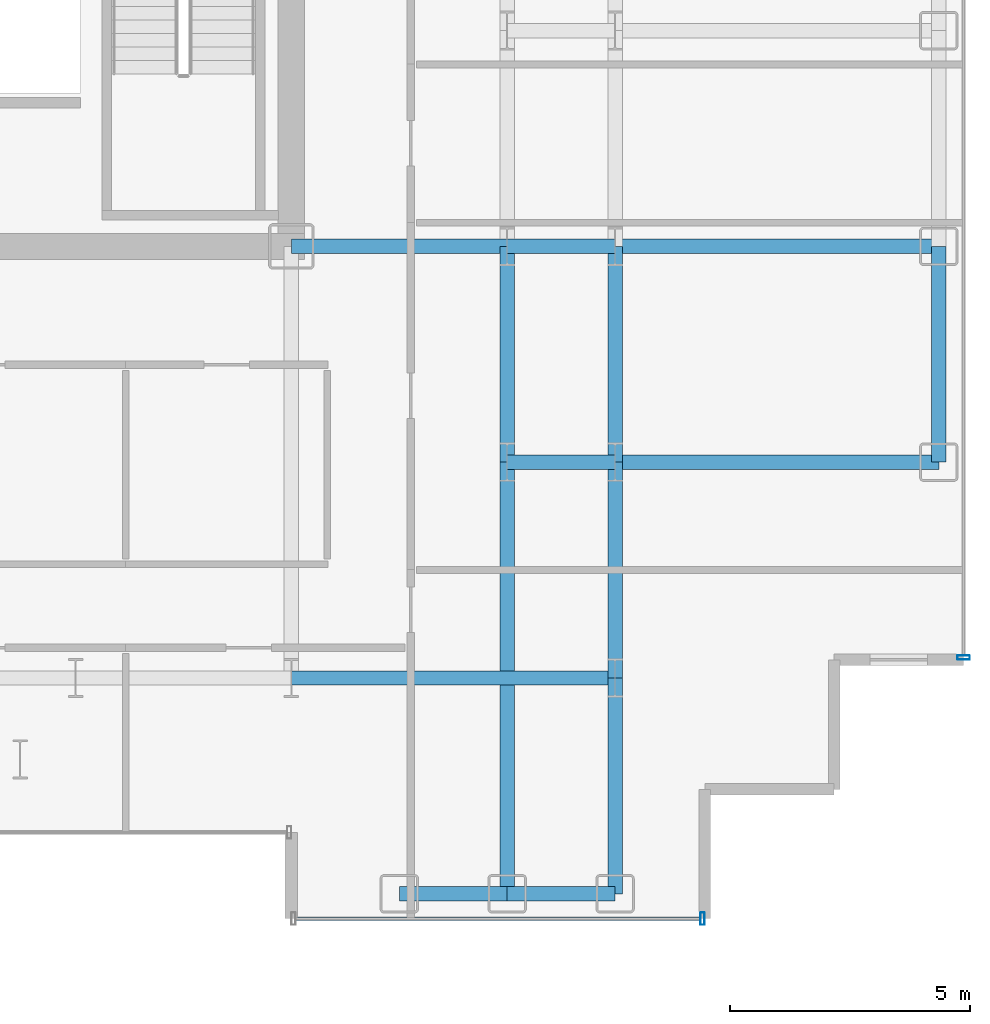
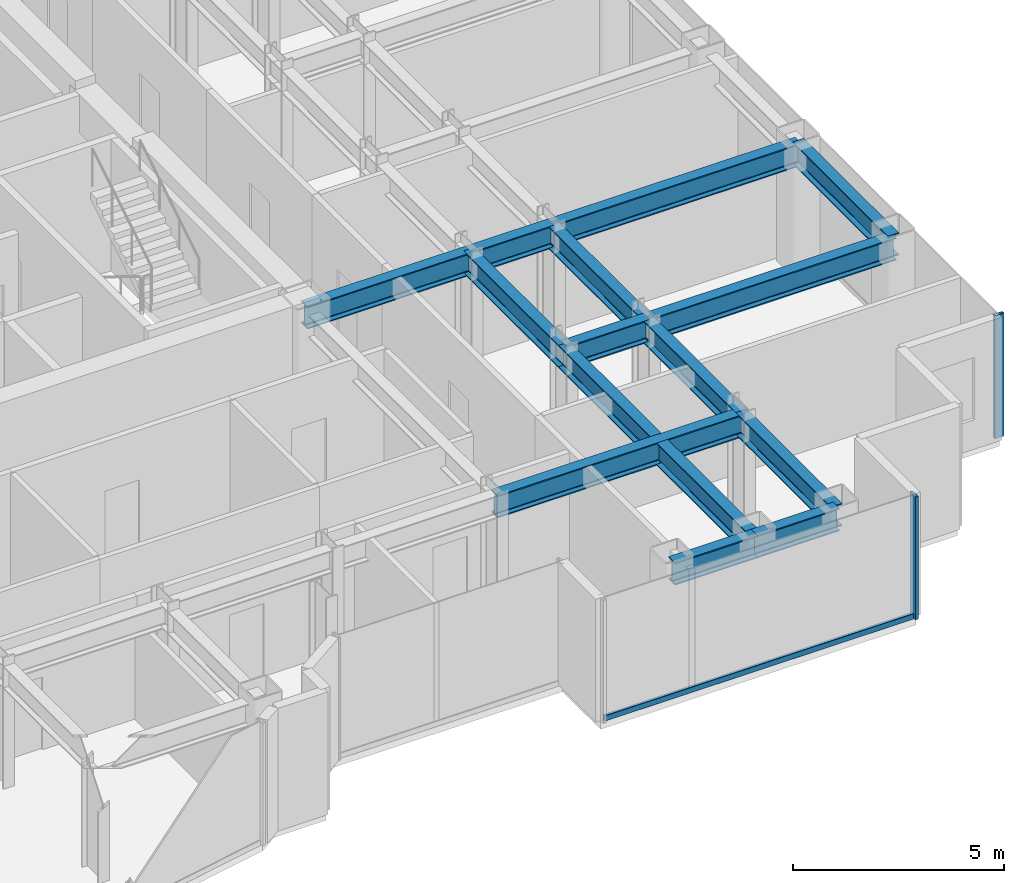
# One storey, part 8 of 23: 14 beams, 3 members, 2 elements without a shape of their own.
"""IFC4 building model written with IfcOpenShell, lengths in metres."""

from ifc_helpers import new_model, si_unit, direction, frame, origin, origin_2d, place, context, subcontext, project, spatial, hollow_rectangle, i_section, extrude, source, transform, mapped, material, layer, layer_set, material_profile, profile_set, type_object, element, aggregate, save


model = new_model("IFC4")

# Units and contexts
model_context = context("Model", 3, precision=1e-05, world=origin(), true_north=direction((0.0, 1.0)))
body_context = subcontext(model_context, "Body", "Model", "MODEL_VIEW")
ifc_project = project(units=[si_unit("LENGTHUNIT", "METRE"), si_unit("AREAUNIT", "SQUARE_METRE"), si_unit("VOLUMEUNIT", "CUBIC_METRE"), si_unit("PLANEANGLEUNIT", "RADIAN"), si_unit("MASSUNIT", "GRAM", prefix="KILO")], contexts=[model_context])

# Site, building, storey
site_placement = place(None, origin())
site = spatial("IfcSite", under=ifc_project, at=site_placement, CompositionType="ELEMENT")
building_placement = place(site_placement, origin())
building = spatial("IfcBuilding", under=site, at=building_placement, Name="Nefas-Gora Pilgrimage Tower", CompositionType="ELEMENT")
storey_placement = place(building_placement, frame((0.0, 0.0, 175.39990234375)))
storey = spatial("IfcBuildingStorey", under=building, at=storey_placement, Name="L43", CompositionType="ELEMENT", Elevation=175.39990234375)

# Beams
ifc_material_1 = material(Name="Steel S355", Category="steel")
ifc_material_profile_1 = material_profile(ifc_material_1, i_section(OverallWidth=0.300048828125, OverallDepth=0.64990234375, WebThickness=0.01611328125, FlangeThickness=0.031005859375, FilletRadius=0.027099609375, at=origin_2d()), Name="HEB 650")
ifc_profile_set_1 = profile_set([ifc_material_profile_1], Name="Steel S355")
beam_type_1 = type_object("IfcBeamType", Name="BM-SPN-HEB500", PredefinedType="SPANDREL", material=ifc_profile_set_1)
shared_shape_1 = source(origin(), body_context, "Body", "SweptSolid", [
    extrude(i_section(OverallWidth=0.300048828125, OverallDepth=0.64990234375, WebThickness=0.01611328125, FlangeThickness=0.031005859375, FilletRadius=0.027099609375, at=origin_2d()), origin(), (0.0, 0.0, 1.0), 4.5),
])
beam_1_placement = place(storey_placement, frame((24.75, -13.5, 3.22509765625), z_axis=(0.0, 1.0, 0.0), x_axis=(-1.0, 0.0, 0.0)))
element("IfcBeam", 1, at=beam_1_placement, inside=storey, type_object=beam_type_1, Name="L43 SP-02 beam", PredefinedType="SPANDREL", context=body_context, shape_type="MappedRepresentation", body=[
    mapped(shared_shape_1, transform((0.0, 0.0, 0.0), x_axis=(1.0, 0.0, 0.0), y_axis=(0.0, 1.0, 0.0), z_axis=(0.0, 0.0, 1.0), scale=1.0)),
])
ifc_material_profile_2 = material_profile(ifc_material_1, i_section(OverallWidth=0.300048828125, OverallDepth=0.64990234375, WebThickness=0.01611328125, FlangeThickness=0.031005859375, FilletRadius=0.027099609375, at=origin_2d()), Name="HEB 650")
ifc_profile_set_2 = profile_set([ifc_material_profile_2], Name="Steel S355")
beam_type_2 = type_object("IfcBeamType", Name="BM-GIR-HEB650", PredefinedType="BEAM", material=ifc_profile_set_2)
shared_shape_2 = source(origin(), body_context, "Body", "SweptSolid", [
    extrude(i_section(OverallWidth=0.300048828125, OverallDepth=0.64990234375, WebThickness=0.01611328125, FlangeThickness=0.031005859375, FilletRadius=0.027099609375, at=origin_2d()), origin(), (0.0, 0.0, 1.0), 9.0),
])
beam_2_placement = place(storey_placement, frame((15.75, -22.5, 3.22509765625), z_axis=(0.0, 1.0, 0.0), x_axis=(-1.0, 0.0, 0.0)))
element("IfcBeam", 2, at=beam_2_placement, inside=storey, type_object=beam_type_2, Name="L43 G-03 beam", PredefinedType="BEAM", context=body_context, shape_type="MappedRepresentation", body=[
    mapped(shared_shape_2, transform((0.0, 0.0, 0.0), x_axis=(1.0, 0.0, 0.0), y_axis=(0.0, 1.0, 0.0), z_axis=(0.0, 0.0, 1.0), scale=1.0)),
])
shared_shape_3 = source(origin(), body_context, "Body", "SweptSolid", [
    extrude(i_section(OverallWidth=0.300048828125, OverallDepth=0.64990234375, WebThickness=0.01611328125, FlangeThickness=0.031005859375, FilletRadius=0.027099609375, at=origin_2d()), origin(), (0.0, 0.0, 1.0), 4.5),
])
for number, where, z_axis, x_axis, name in (
    (3, (11.25, -9.0, 3.22509765625), (1.0, 0.0, 0.0), (0.0, 1.0, 0.0), "L43 G-03 beam"),
    (4, (15.75, -13.5, 3.22509765625), (0.0, 1.0, 0.0), (-1.0, 0.0, 0.0), "L43 G-03 beam"),
    (5, (18.0, -22.5, 3.22509765625), (0.0, 1.0, 0.0), (-1.0, 0.0, 0.0), "L43 G-03 beam"),
    (6, (18.0, -18.0, 3.22509765625), (0.0, 1.0, 0.0), (-1.0, 0.0, 0.0), "L43 G-03 beam"),
    (7, (18.0, -13.5, 3.22509765625), (0.0, 1.0, 0.0), (-1.0, 0.0, 0.0), "L43 G-03 beam"),
):
    element("IfcBeam", number, at=place(storey_placement, frame(where, z_axis=z_axis, x_axis=x_axis)), inside=storey, type_object=beam_type_2, Name=name, PredefinedType="BEAM", context=body_context, shape_type="MappedRepresentation", body=[
        mapped(shared_shape_3, transform((0.0, 0.0, 0.0), x_axis=(1.0, 0.0, 0.0), y_axis=(0.0, 1.0, 0.0), z_axis=(0.0, 0.0, 1.0), scale=1.0)),
    ])
shared_shape_4 = source(origin(), body_context, "Body", "SweptSolid", [
    extrude(i_section(OverallWidth=0.300048828125, OverallDepth=0.64990234375, WebThickness=0.01611328125, FlangeThickness=0.031005859375, FilletRadius=0.027099609375, at=origin_2d()), origin(), (0.0, 0.0, 1.0), 6.75),
])
for number, where, z_axis, x_axis, name in (
    (8, (11.25, -18.0, 3.22509765625), (1.0, 0.0, 0.0), (0.0, 1.0, 0.0), "L43 G-03 beam"),
    (9, (18.0, -13.5, 3.22509765625), (1.0, 0.0, 0.0), (0.0, 1.0, 0.0), "L43 G-03 beam"),
    (10, (18.0, -9.0, 3.22509765625), (1.0, 0.0, 0.0), (0.0, 1.0, 0.0), "L43 G-03 beam"),
):
    element("IfcBeam", number, at=place(storey_placement, frame(where, z_axis=z_axis, x_axis=x_axis)), inside=storey, type_object=beam_type_2, Name=name, PredefinedType="BEAM", context=body_context, shape_type="MappedRepresentation", body=[
        mapped(shared_shape_4, transform((0.0, 0.0, 0.0), x_axis=(1.0, 0.0, 0.0), y_axis=(0.0, 1.0, 0.0), z_axis=(0.0, 0.0, 1.0), scale=1.0)),
    ])
shared_shape_5 = source(origin(), body_context, "Body", "SweptSolid", [
    extrude(i_section(OverallWidth=0.300048828125, OverallDepth=0.64990234375, WebThickness=0.01611328125, FlangeThickness=0.031005859375, FilletRadius=0.027099609375, at=origin_2d()), origin(), (0.0, 0.0, 1.0), 2.25),
])
for number, where, z_axis, x_axis, name in (
    (11, (13.5, -22.5, 3.22509765625), (1.0, 0.0, 0.0), (0.0, 1.0, 0.0), "L43 SP-02 beam"),
    (12, (15.75, -22.5, 3.22509765625), (1.0, 0.0, 0.0), (0.0, 1.0, 0.0), "L43 SP-02 beam"),
):
    element("IfcBeam", number, at=place(storey_placement, frame(where, z_axis=z_axis, x_axis=x_axis)), inside=storey, type_object=beam_type_1, Name=name, PredefinedType="SPANDREL", context=body_context, shape_type="MappedRepresentation", body=[
        mapped(shared_shape_5, transform((0.0, 0.0, 0.0), x_axis=(1.0, 0.0, 0.0), y_axis=(0.0, 1.0, 0.0), z_axis=(0.0, 0.0, 1.0), scale=1.0)),
    ])
shared_shape_6 = source(origin(), body_context, "Body", "SweptSolid", [
    extrude(i_section(OverallWidth=0.300048828125, OverallDepth=0.64990234375, WebThickness=0.01611328125, FlangeThickness=0.031005859375, FilletRadius=0.027099609375, at=origin_2d()), origin(), (0.0, 0.0, 1.0), 2.25),
])
for number, where, z_axis, x_axis, name in (
    (13, (15.75, -13.5, 3.22509765625), (1.0, 0.0, 0.0), (0.0, 1.0, 0.0), "L43 G-03 beam"),
    (14, (15.75, -9.0, 3.22509765625), (1.0, 0.0, 0.0), (0.0, 1.0, 0.0), "L43 G-03 beam"),
):
    element("IfcBeam", number, at=place(storey_placement, frame(where, z_axis=z_axis, x_axis=x_axis)), inside=storey, type_object=beam_type_2, Name=name, PredefinedType="BEAM", context=body_context, shape_type="MappedRepresentation", body=[
        mapped(shared_shape_6, transform((0.0, 0.0, 0.0), x_axis=(1.0, 0.0, 0.0), y_axis=(0.0, 1.0, 0.0), z_axis=(0.0, 0.0, 1.0), scale=1.0)),
    ])

# Curtain wall, member
ifc_material_2 = material(Name="Dark ceramic-fritted solar-control aluminium-glass curtain wall", Category="aluminium")
ifc_layer = layer(ifc_material_2, 0.219970703125)
ifc_layer_set = layer_set([ifc_layer], Name="Dark ceramic-fritted solar-control aluminium-glass curtain wall")
curtain_wall_type = type_object("IfcCurtainWallType", Name="CW-SYS-3", PredefinedType="NOTDEFINED", material=ifc_layer_set)
curtain_wall_1_placement = place(storey_placement, origin())
curtain_wall_1 = element("IfcCurtainWall", 15, at=curtain_wall_1_placement, inside=storey, type_object=curtain_wall_type, Name="L43 Unitised Curtain Wall CW3", PredefinedType="NOTDEFINED")
ifc_material_3 = material(Name="Anodised architectural aluminium", Category="aluminium")
ifc_material_profile_3 = material_profile(ifc_material_3, hollow_rectangle(XDim=0.090087890625, YDim=0.260009765625, WallThickness=0.006103515625, InnerFilletRadius=0.006103515625, OuterFilletRadius=0.011962890625, at=origin_2d()), Name="ALU MULLION 90x260")
ifc_profile_set_3 = profile_set([ifc_material_profile_3], Name="Anodised architectural aluminium")
member_type_1 = type_object("IfcMemberType", Name="CWM-MUL-3", PredefinedType="MULLION", material=ifc_profile_set_3)
shared_shape_7 = source(origin(), body_context, "Body", "SweptSolid", [
    extrude(hollow_rectangle(XDim=0.090087890625, YDim=0.260009765625, WallThickness=0.006103515625, InnerFilletRadius=0.006103515625, OuterFilletRadius=0.011962890625, at=origin_2d()), origin(), (0.0, 0.0, 1.0), 3.550048828125),
])
member_1_placement = place(storey_placement, frame((19.824951171875, -23.02001953125, 0.0), z_axis=(0.0, 0.0, 1.0), x_axis=(1.0, 0.0, 0.0)))
member_1 = element("IfcMember", 16, at=member_1_placement, type_object=member_type_1, Name="CW3 Mullion 2", PredefinedType="MULLION", context=body_context, shape_type="MappedRepresentation", body=[
    mapped(shared_shape_7, transform((0.0, 0.0, 0.0), x_axis=(1.0, 0.0, 0.0), y_axis=(0.0, 1.0, 0.0), z_axis=(0.0, 0.0, 1.0), scale=1.0)),
])

curtain_wall_2_placement = place(storey_placement, origin())
curtain_wall_2 = element("IfcCurtainWall", 17, at=curtain_wall_2_placement, inside=storey, type_object=curtain_wall_type, Name="L43 Unitised Curtain Wall CW3", PredefinedType="NOTDEFINED")
member_2_placement = place(storey_placement, frame((25.27001953125, -17.574951171875, 0.0), z_axis=(0.0, 0.0, 1.0), x_axis=(0.0, 1.0, 0.0)))
member_2 = element("IfcMember", 18, at=member_2_placement, type_object=member_type_1, Name="CW3 Mullion 1", PredefinedType="MULLION", context=body_context, shape_type="MappedRepresentation", body=[
    mapped(shared_shape_7, transform((0.0, 0.0, 0.0), x_axis=(1.0, 0.0, 0.0), y_axis=(0.0, 1.0, 0.0), z_axis=(0.0, 0.0, 1.0), scale=1.0)),
])
aggregate(curtain_wall_2, [member_2])

# Member
ifc_material_profile_4 = material_profile(ifc_material_3, hollow_rectangle(XDim=0.080078125, YDim=0.159912109375, WallThickness=0.00439453125, InnerFilletRadius=0.00439453125, OuterFilletRadius=0.009033203125, at=origin_2d()), Name="ALU TRANSOM 80x160")
ifc_profile_set_4 = profile_set([ifc_material_profile_4], Name="Anodised architectural aluminium")
member_type_2 = type_object("IfcMemberType", Name="CWM-TRN-3", PredefinedType="USERDEFINED", material=ifc_profile_set_4)
shared_shape_8 = source(origin(), body_context, "Body", "SweptSolid", [
    extrude(hollow_rectangle(XDim=0.080078125, YDim=0.159912109375, WallThickness=0.00439453125, InnerFilletRadius=0.00439453125, OuterFilletRadius=0.009033203125, at=origin_2d()), origin(), (0.0, 0.0, 1.0), 8.43994140625),
])
member_3_placement = place(storey_placement, frame((11.340087890625, -23.02001953125, 0.050048828125), z_axis=(1.0, 0.0, 0.0), x_axis=(0.0, 1.0, 0.0)))
member_3 = element("IfcMember", 19, at=member_3_placement, type_object=member_type_2, Name="CW3 Spandrel Transom", ObjectType="TRANSOM", PredefinedType="USERDEFINED", context=body_context, shape_type="MappedRepresentation", body=[
    mapped(shared_shape_8, transform((0.0, 0.0, 0.0), x_axis=(1.0, 0.0, 0.0), y_axis=(0.0, 1.0, 0.0), z_axis=(0.0, 0.0, 1.0), scale=1.0)),
])

aggregate(curtain_wall_1, [member_1, member_3])

save(model, "model.ifc")
